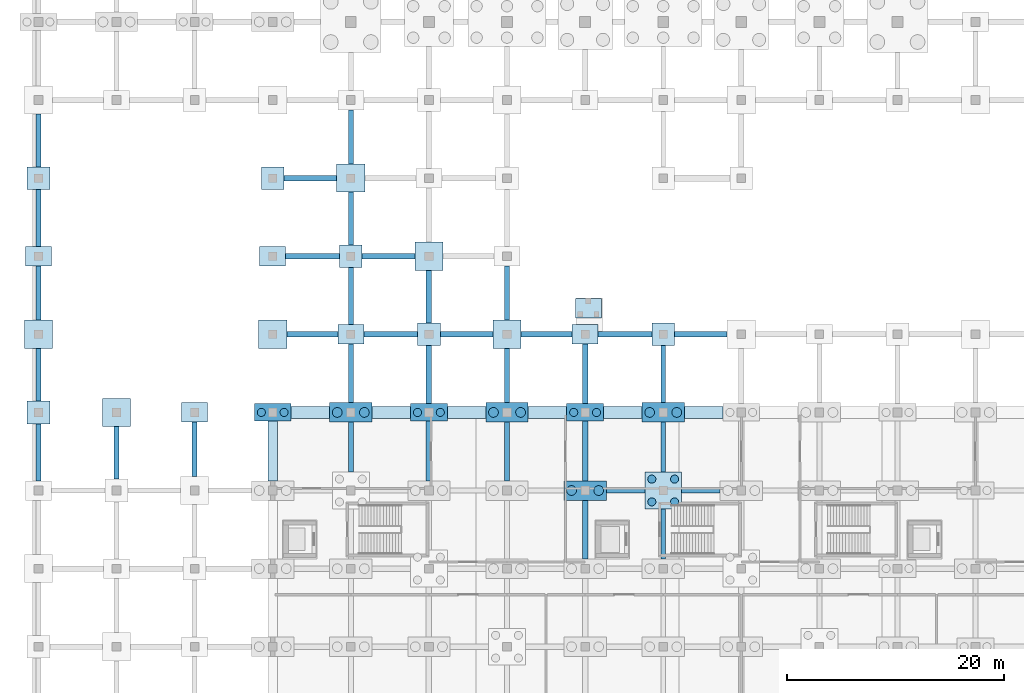
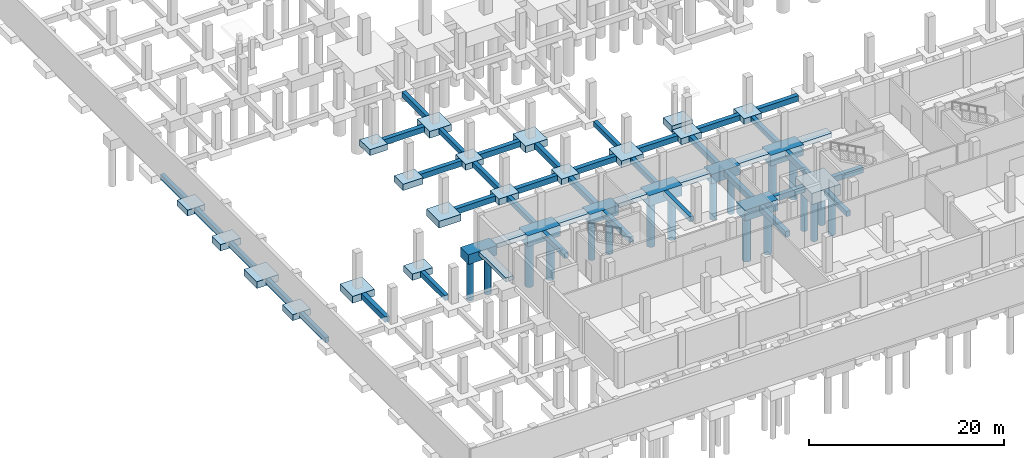
# One storey, part 3 of 22: 68 footings, 18 piles.
"""IFC4 building model written with IfcOpenShell, lengths in metres."""

import ifcopenshell
import ifcopenshell.guid

model = None  # the IFC model being written
_history = None  # IfcOwnerHistory: only IFC2X3 demands one
_inside = {}  # id of a spatial element -> (the spatial element, [elements in it])
_under = {}  # id of a project, library or spatial element -> (it, [spatial elements below it])
_declared = {}  # id of a project -> (the project, [libraries it declares])
_typed = {}  # id of a type object -> (the type object, [elements of that type])
_made_of = {}  # id of a material, layer set ... -> (it, [elements and type objects made of it])


def new_model(schema):
    """Start an empty IFC model of exactly this schema.

    Asked for "IFC4X3", IfcOpenShell would pick the latest addendum, in which some entities
    have other attributes; the version numbers below select the first issue.
    IFC2X3 requires an IfcOwnerHistory on every rooted entity: one is made here for all.
    """
    global model, _history
    if schema == "IFC4X3":
        model = ifcopenshell.file(schema_version=(4, 3, 0, 0))
    else:
        model = ifcopenshell.file(schema=schema)
    _inside.clear()
    _under.clear()
    _declared.clear()
    _typed.clear()
    _made_of.clear()
    _history = None
    if model.schema == "IFC2X3":
        org = make("IfcOrganization", Name="unknown")
        user = make(
            "IfcPersonAndOrganization",
            ThePerson=make("IfcPerson", FamilyName="unknown"),
            TheOrganization=org,
        )
        app = make(
            "IfcApplication",
            ApplicationDeveloper=org,
            Version="unknown",
            ApplicationFullName="unknown",
            ApplicationIdentifier="unknown",
        )
        _history = make(
            "IfcOwnerHistory",
            OwningUser=user,
            OwningApplication=app,
            ChangeAction="ADDED",
            CreationDate=0,
        )
    return model


def make(cls, **values):
    """One entity of the class cls with the attributes given. An attribute that is None is left unset."""
    return model.create_entity(
        cls, **{name: value for name, value in values.items() if value is not None}
    )


def rooted(cls, **values):
    """An entity with a GlobalId (a new one), such as an element, a storey or a relation."""
    return make(cls, GlobalId=ifcopenshell.guid.new(), OwnerHistory=_history, **values)


def si_unit(unit_type, name, prefix=None):
    """IfcSIUnit, for example si_unit("LENGTHUNIT", "METRE", prefix="MILLI")."""
    return make("IfcSIUnit", UnitType=unit_type, Prefix=prefix, Name=name)


def assignment(units):
    """IfcUnitAssignment: the units of a project."""
    return None if units is None else make("IfcUnitAssignment", Units=units)


def point(xyz):
    """IfcCartesianPoint."""
    return None if xyz is None else make("IfcCartesianPoint", Coordinates=xyz)


def direction(xyz):
    """IfcDirection."""
    return None if xyz is None else make("IfcDirection", DirectionRatios=xyz)


def frame(location, z_axis=None, x_axis=None):
    """IfcAxis2Placement3D, a coordinate frame: its origin and axes. An axis left out is left unset."""
    return make(
        "IfcAxis2Placement3D",
        Location=point(location),
        Axis=direction(z_axis),
        RefDirection=direction(x_axis),
    )


def frame_2d(location, x_axis=None):
    """IfcAxis2Placement2D, a coordinate frame in the plane: its origin and x axis."""
    return make(
        "IfcAxis2Placement2D", Location=point(location), RefDirection=direction(x_axis)
    )


def origin():
    """The frame at (0, 0, 0) with its axes left unset."""
    return frame((0.0, 0.0, 0.0))


def origin_2d():
    """The frame at (0, 0) in the plane with its x axis left unset."""
    return frame_2d((0.0, 0.0))


def place(relative_to, where):
    """IfcLocalPlacement: puts the frame where relative to a parent placement (None: the world)."""
    return make(
        "IfcLocalPlacement", PlacementRelTo=relative_to, RelativePlacement=where
    )


def context(
    kind, dimensions, precision=None, world=None, true_north=None, identifier=None
):
    """IfcGeometricRepresentationContext, for example the 3D "Model" context."""
    return make(
        "IfcGeometricRepresentationContext",
        ContextIdentifier=identifier,
        ContextType=kind,
        CoordinateSpaceDimension=dimensions,
        Precision=precision,
        WorldCoordinateSystem=world,
        TrueNorth=true_north,
    )


def subcontext(parent, identifier, kind, view, scale=None):
    """IfcGeometricRepresentationSubContext, for example "Body" below "Model"."""
    return make(
        "IfcGeometricRepresentationSubContext",
        ContextIdentifier=identifier,
        ContextType=kind,
        ParentContext=parent,
        TargetScale=scale,
        TargetView=view,
    )


def project(units=None, contexts=None):
    """IfcProject with its units and contexts."""
    return rooted(
        "IfcProject",
        Name="project",
        RepresentationContexts=contexts,
        UnitsInContext=assignment(units),
    )


def spatial(cls, under=None, at=None, **own):
    """A site, building, storey or space (cls), placed at a placement, below another one or the project."""
    s = rooted(cls, ObjectPlacement=at, **own)
    if under is not None:
        _under.setdefault(under.id(), (under, []))[1].append(s)
    return s


def polyline(points):
    """IfcPolyline through the points."""
    return make("IfcPolyline", Points=[point(p) for p in points])


def profile(cls, at=None, kind="AREA", **sizes):
    """A parametric profile (cls). Its sizes go by their IFC names, for example OverallWidth=200.0."""
    return make(cls, ProfileType=kind, Position=at, **sizes)


def rectangle(**sizes):
    """IfcRectangleProfileDef."""
    return profile("IfcRectangleProfileDef", **sizes)


def circle(**sizes):
    """IfcCircleProfileDef."""
    return profile("IfcCircleProfileDef", **sizes)


def outline(outer, holes=None, kind="AREA"):
    """IfcArbitraryClosedProfileDef: a profile drawn as a closed curve; with holes, ...WithVoids."""
    if holes is None:
        return make("IfcArbitraryClosedProfileDef", ProfileType=kind, OuterCurve=outer)
    return make(
        "IfcArbitraryProfileDefWithVoids",
        ProfileType=kind,
        OuterCurve=outer,
        InnerCurves=holes,
    )


def extrude(swept, where, along, depth):
    """IfcExtrudedAreaSolid: the profile swept, set in the frame where, extruded along a direction by depth."""
    return make(
        "IfcExtrudedAreaSolid",
        SweptArea=swept,
        Position=where,
        ExtrudedDirection=direction(along),
        Depth=depth,
    )


def shape(context_of_items, identifier, shape_type, items):
    """IfcShapeRepresentation: the items that make up one representation, for example the "Body"."""
    return make(
        "IfcShapeRepresentation",
        ContextOfItems=context_of_items,
        RepresentationIdentifier=identifier,
        RepresentationType=shape_type,
        Items=items,
    )


def material(Name=None, Category=None):
    """IfcMaterial."""
    return make("IfcMaterial", Name=Name, Category=Category)


def material_profile(
    of_material, cross_section, Name=None, Category=None, Priority=None
):
    """IfcMaterialProfile: a cross section and its material."""
    return make(
        "IfcMaterialProfile",
        Name=Name,
        Material=of_material,
        Profile=cross_section,
        Priority=Priority,
        Category=Category,
    )


def profile_set(profiles, Name=None, composite=None):
    """IfcMaterialProfileSet."""
    return make(
        "IfcMaterialProfileSet",
        Name=Name,
        MaterialProfiles=profiles,
        CompositeProfile=composite,
    )


def made_of(thing, what):
    """Note that an element or type object is made of a material, layer set ...; save() writes the relation."""
    if what is not None:
        _made_of.setdefault(what.id(), (what, []))[1].append(thing)
    return thing


def type_object(cls, material=None, **own):
    """A type object (cls), such as IfcWallType, which elements share."""
    return made_of(rooted(cls, **own), material)


def element(
    cls,
    number,
    at=None,
    inside=None,
    cuts=None,
    type_object=None,
    material=None,
    context=None,
    identifier="Body",
    shape_type=None,
    held_by="IfcProductDefinitionShape",
    body=None,
    shapes=None,
    **own,
):
    """One element of the class cls, such as IfcWall. Its Tag is "e" and its number.

    at: its placement. inside: the storey or other place that contains it. cuts: it is an
    opening in that element (IfcRelVoidsElement). A single representation is given by context,
    identifier, shape_type and body (its items); several are given by shapes. held_by: the class
    of the entity that holds the representations. save() writes the other relations.
    """
    e = rooted(cls, Tag="e%d" % number, ObjectPlacement=at, **own)
    if body is not None:
        shapes = [shape(context, identifier, shape_type, body)]
    if shapes is not None:
        e.Representation = make(held_by, Representations=shapes)
    if inside is not None:
        _inside.setdefault(inside.id(), (inside, []))[1].append(e)
    if cuts is not None:
        rooted(
            "IfcRelVoidsElement", RelatingBuildingElement=cuts, RelatedOpeningElement=e
        )
    if type_object is not None:
        _typed.setdefault(type_object.id(), (type_object, []))[1].append(e)
    return made_of(e, material)


def aggregate(whole, parts):
    """IfcRelAggregates: a whole, such as a stair, and the parts it consists of."""
    return rooted("IfcRelAggregates", RelatingObject=whole, RelatedObjects=parts)


def save(model, path):
    """Write the relations noted so far, then the file.

    IfcRelAggregates (storeys below a building ...), IfcRelContainedInSpatialStructure (elements
    in a storey), IfcRelDefinesByType, IfcRelAssociatesMaterial and IfcRelDeclares: one each for
    every whole, place, type object, material and project.
    """
    for whole, parts in _under.values():
        aggregate(whole, parts)
    for where, things in _inside.values():
        rooted(
            "IfcRelContainedInSpatialStructure",
            RelatedElements=things,
            RelatingStructure=where,
        )
    for kind, things in _typed.values():
        rooted("IfcRelDefinesByType", RelatedObjects=things, RelatingType=kind)
    for what, things in _made_of.values():
        rooted("IfcRelAssociatesMaterial", RelatedObjects=things, RelatingMaterial=what)
    for by, libraries in _declared.values():
        rooted("IfcRelDeclares", RelatingContext=by, RelatedDefinitions=libraries)
    model.write(path)


model = new_model("IFC4")

# Units and contexts
model_context = context("Model", 3, precision=1e-05, world=origin(), true_north=direction((0.0, 1.0)))
body_context = subcontext(model_context, "Body", "Model", "MODEL_VIEW")
ifc_project = project(units=[si_unit("LENGTHUNIT", "METRE"), si_unit("AREAUNIT", "SQUARE_METRE"), si_unit("VOLUMEUNIT", "CUBIC_METRE"), si_unit("PLANEANGLEUNIT", "RADIAN"), si_unit("MASSUNIT", "GRAM", prefix="KILO")], contexts=[model_context])

# Site, building, storey
site_placement = place(None, origin())
site = spatial("IfcSite", under=ifc_project, at=site_placement, CompositionType="ELEMENT")
building_placement = place(site_placement, origin())
building = spatial("IfcBuilding", under=site, at=building_placement, Name="Sardonyx Promenade Sports Hall", CompositionType="ELEMENT")
storey_placement = place(building_placement, frame((0.0, 0.0, -4.5)))
storey = spatial("IfcBuildingStorey", under=building, at=storey_placement, Name="B1", CompositionType="ELEMENT", Elevation=-4.5)

# Footings
ifc_material_1 = material(Name="Concrete C40/50", Category="concrete")
footing_type_1 = type_object("IfcFootingType", Name="Cap_2P_750", PredefinedType="PILE_CAP", material=ifc_material_1)
for number, where, z_axis, x_axis, name in (
    (1, (21.60009765625, 36.0, -1.2001953125), (0.0, 0.0, 1.0), (1.0, 0.0, 0.0), "Pile cap PC02 at (21.60, 36.00)"),
    (2, (36.0, 36.0, -1.2001953125), (0.0, 0.0, 1.0), (1.0, 0.0, 0.0), "Pile cap PC02 at (36.00, 36.00)"),
    (3, (50.39990234375, 36.0, -1.2001953125), (0.0, 0.0, 1.0), (1.0, 0.0, 0.0), "Pile cap PC02 at (50.40, 36.00)"),
):
    element("IfcFooting", number, at=place(storey_placement, frame(where, z_axis=z_axis, x_axis=x_axis)), inside=storey, type_object=footing_type_1, Name=name, PredefinedType="PILE_CAP", context=body_context, shape_type="SweptSolid", body=[
        extrude(rectangle(XDim=3.39990234375, YDim=1.60009765625, at=origin_2d()), origin(), (0.0, 0.0, 1.0), 1.199951171875),
    ])
ifc_material_2 = material(Name="Concrete C40/50", Category="concrete")
footing_type_2 = type_object("IfcFootingType", Name="Cap_2P_900", PredefinedType="PILE_CAP", material=ifc_material_2)
for number, where, z_axis, x_axis, name in (
    (4, (28.800048828125, 36.0, -1.35009765625), (0.0, 0.0, 1.0), (1.0, 0.0, 0.0), "Pile cap PC09 at (28.80, 36.00)"),
    (5, (43.199951171875, 36.0, -1.35009765625), (0.0, 0.0, 1.0), (1.0, 0.0, 0.0), "Pile cap PC09 at (43.20, 36.00)"),
    (6, (50.39990234375, 28.800048828125, -1.35009765625), (0.0, 0.0, 1.0), (1.0, 0.0, 0.0), "Pile cap PC09 at (50.40, 28.80)"),
    (7, (57.60009765625, 36.0, -1.35009765625), (0.0, 0.0, 1.0), (1.0, 0.0, 0.0), "Pile cap PC09 at (57.60, 36.00)"),
):
    element("IfcFooting", number, at=place(storey_placement, frame(where, z_axis=z_axis, x_axis=x_axis)), inside=storey, type_object=footing_type_2, Name=name, PredefinedType="PILE_CAP", context=body_context, shape_type="SweptSolid", body=[
        extrude(rectangle(XDim=3.89990234375, YDim=1.800048828125, at=origin_2d()), origin(), (0.0, 0.0, 1.0), 1.35009765625),
    ])
ifc_material_3 = material(Name="Concrete C40/50", Category="concrete")
footing_type_3 = type_object("IfcFootingType", Name="Cap_4P_750", PredefinedType="PILE_CAP", material=ifc_material_3)
footing_1_placement = place(storey_placement, frame((57.60009765625, 28.800048828125, -1.39990234375), z_axis=(0.0, 0.0, 1.0), x_axis=(1.0, 0.0, 0.0)))
element("IfcFooting", 8, at=footing_1_placement, inside=storey, type_object=footing_type_3, Name="Pile cap PC04 at (57.60, 28.80)", PredefinedType="PILE_CAP", context=body_context, shape_type="SweptSolid", body=[
    extrude(rectangle(XDim=3.39990234375, YDim=3.39990234375, at=origin_2d()), origin(), (0.0, 0.0, 1.0), 1.39990234375),
])
ifc_material_4 = material(Name="Concrete C40/50", Category="concrete")
footing_type_4 = type_object("IfcFootingType", Name="Ftg_Beam_450x650", PredefinedType="FOOTING_BEAM", material=ifc_material_4)
footing_2_placement = place(storey_placement, frame((0.0, 0.0, -0.64990234375)))
element("IfcFooting", 9, at=footing_2_placement, inside=storey, type_object=footing_type_4, Name="Ground tie beam GB03 #224", PredefinedType="FOOTING_BEAM", context=body_context, shape_type="SweptSolid", body=[
    extrude(outline(polyline([(-0.22509765625, 29.699951171875), (0.22509765625, 29.699951171875), (0.22509765625, 34.949951171875), (-0.22509765625, 34.949951171875), (-0.22509765625, 29.699951171875)])), origin(), (0.0, 0.0, 1.0), 0.64990234375),
])
footing_3_placement = place(storey_placement, frame((0.0, 0.0, -0.64990234375)))
element("IfcFooting", 10, at=footing_3_placement, inside=storey, type_object=footing_type_4, Name="Ground tie beam GB03 #225", PredefinedType="FOOTING_BEAM", context=body_context, shape_type="SweptSolid", body=[
    extrude(outline(polyline([(-0.22509765625, 37.050048828125), (0.22509765625, 37.050048828125), (0.22509765625, 41.89990234375), (-0.22509765625, 41.89990234375), (-0.22509765625, 37.050048828125)])), origin(), (0.0, 0.0, 1.0), 0.64990234375),
])
footing_4_placement = place(storey_placement, frame((0.0, 0.0, -0.64990234375)))
element("IfcFooting", 11, at=footing_4_placement, inside=storey, type_object=footing_type_4, Name="Ground tie beam GB03 #226", PredefinedType="FOOTING_BEAM", context=body_context, shape_type="SweptSolid", body=[
    extrude(outline(polyline([(-0.22509765625, 44.5), (0.22509765625, 44.5), (0.22509765625, 49.5), (-0.22509765625, 49.5), (-0.22509765625, 44.5)])), origin(), (0.0, 0.0, 1.0), 0.64990234375),
])
footing_5_placement = place(storey_placement, frame((0.0, 0.0, -0.64990234375)))
element("IfcFooting", 12, at=footing_5_placement, inside=storey, type_object=footing_type_4, Name="Ground tie beam GB03 #227", PredefinedType="FOOTING_BEAM", context=body_context, shape_type="SweptSolid", body=[
    extrude(outline(polyline([(-0.22509765625, 51.300048828125), (0.22509765625, 51.300048828125), (0.22509765625, 56.550048828125), (-0.22509765625, 56.550048828125), (-0.22509765625, 51.300048828125)])), origin(), (0.0, 0.0, 1.0), 0.64990234375),
])
footing_6_placement = place(storey_placement, frame((0.0, 0.0, -0.64990234375)))
element("IfcFooting", 13, at=footing_6_placement, inside=storey, type_object=footing_type_4, Name="Ground tie beam GB03 #228", PredefinedType="FOOTING_BEAM", context=body_context, shape_type="SweptSolid", body=[
    extrude(outline(polyline([(-0.22509765625, 58.64990234375), (0.22509765625, 58.64990234375), (0.22509765625, 63.5), (-0.22509765625, 63.5), (-0.22509765625, 58.64990234375)])), origin(), (0.0, 0.0, 1.0), 0.64990234375),
])
footing_7_placement = place(storey_placement, frame((0.0, 0.0, -0.64990234375)))
element("IfcFooting", 14, at=footing_7_placement, inside=storey, type_object=footing_type_4, Name="Ground tie beam GB03 #246", PredefinedType="FOOTING_BEAM", context=body_context, shape_type="SweptSolid", body=[
    extrude(outline(polyline([(14.175048828125, 30.10009765625), (14.625, 30.10009765625), (14.625, 35.10009765625), (14.175048828125, 35.10009765625), (14.175048828125, 30.10009765625)])), origin(), (0.0, 0.0, 1.0), 0.64990234375),
])
footing_8_placement = place(storey_placement, frame((0.0, 0.0, -0.64990234375)))
element("IfcFooting", 15, at=footing_8_placement, inside=storey, type_object=footing_type_4, Name="Ground tie beam GB03 #255", PredefinedType="FOOTING_BEAM", context=body_context, shape_type="SweptSolid", body=[
    extrude(outline(polyline([(28.574951171875, 30.5), (29.02490234375, 30.5), (29.02490234375, 35.10009765625), (28.574951171875, 35.10009765625), (28.574951171875, 30.5)])), origin(), (0.0, 0.0, 1.0), 0.64990234375),
])
footing_9_placement = place(storey_placement, frame((0.0, 0.0, -0.64990234375)))
element("IfcFooting", 16, at=footing_9_placement, inside=storey, type_object=footing_type_4, Name="Ground tie beam GB03 #256", PredefinedType="FOOTING_BEAM", context=body_context, shape_type="SweptSolid", body=[
    extrude(outline(polyline([(28.574951171875, 36.89990234375), (29.02490234375, 36.89990234375), (29.02490234375, 42.300048828125), (28.574951171875, 42.300048828125), (28.574951171875, 36.89990234375)])), origin(), (0.0, 0.0, 1.0), 0.64990234375),
])
footing_10_placement = place(storey_placement, frame((0.0, 0.0, -0.64990234375)))
element("IfcFooting", 17, at=footing_10_placement, inside=storey, type_object=footing_type_4, Name="Ground tie beam GB03 #257", PredefinedType="FOOTING_BEAM", context=body_context, shape_type="SweptSolid", body=[
    extrude(outline(polyline([(28.574951171875, 44.10009765625), (29.02490234375, 44.10009765625), (29.02490234375, 49.35009765625), (28.574951171875, 49.35009765625), (28.574951171875, 44.10009765625)])), origin(), (0.0, 0.0, 1.0), 0.64990234375),
])
footing_11_placement = place(storey_placement, frame((0.0, 0.0, -0.64990234375)))
element("IfcFooting", 18, at=footing_11_placement, inside=storey, type_object=footing_type_4, Name="Ground tie beam GB03 #258", PredefinedType="FOOTING_BEAM", context=body_context, shape_type="SweptSolid", body=[
    extrude(outline(polyline([(28.574951171875, 51.449951171875), (29.02490234375, 51.449951171875), (29.02490234375, 56.300048828125), (28.574951171875, 56.300048828125), (28.574951171875, 51.449951171875)])), origin(), (0.0, 0.0, 1.0), 0.64990234375),
])
footing_12_placement = place(storey_placement, frame((0.0, 0.0, -0.64990234375)))
element("IfcFooting", 19, at=footing_12_placement, inside=storey, type_object=footing_type_4, Name="Ground tie beam GB03 #259", PredefinedType="FOOTING_BEAM", context=body_context, shape_type="SweptSolid", body=[
    extrude(outline(polyline([(28.574951171875, 58.89990234375), (29.02490234375, 58.89990234375), (29.02490234375, 63.89990234375), (28.574951171875, 63.89990234375), (28.574951171875, 58.89990234375)])), origin(), (0.0, 0.0, 1.0), 0.64990234375),
])
footing_13_placement = place(storey_placement, frame((0.0, 0.0, -0.64990234375)))
element("IfcFooting", 20, at=footing_13_placement, inside=storey, type_object=footing_type_4, Name="Ground tie beam GB03 #279", PredefinedType="FOOTING_BEAM", context=body_context, shape_type="SweptSolid", body=[
    extrude(outline(polyline([(42.97509765625, 29.699951171875), (43.425048828125, 29.699951171875), (43.425048828125, 35.10009765625), (42.97509765625, 35.10009765625), (42.97509765625, 29.699951171875)])), origin(), (0.0, 0.0, 1.0), 0.64990234375),
])
footing_14_placement = place(storey_placement, frame((0.0, 0.0, -0.64990234375)))
element("IfcFooting", 21, at=footing_14_placement, inside=storey, type_object=footing_type_4, Name="Ground tie beam GB03 #280", PredefinedType="FOOTING_BEAM", context=body_context, shape_type="SweptSolid", body=[
    extrude(outline(polyline([(42.97509765625, 36.89990234375), (43.425048828125, 36.89990234375), (43.425048828125, 41.89990234375), (42.97509765625, 41.89990234375), (42.97509765625, 36.89990234375)])), origin(), (0.0, 0.0, 1.0), 0.64990234375),
])
footing_15_placement = place(storey_placement, frame((0.0, 0.0, -0.64990234375)))
element("IfcFooting", 22, at=footing_15_placement, inside=storey, type_object=footing_type_4, Name="Ground tie beam GB03 #281", PredefinedType="FOOTING_BEAM", context=body_context, shape_type="SweptSolid", body=[
    extrude(outline(polyline([(42.97509765625, 44.5), (43.425048828125, 44.5), (43.425048828125, 49.5), (42.97509765625, 49.5), (42.97509765625, 44.5)])), origin(), (0.0, 0.0, 1.0), 0.64990234375),
])
footing_16_placement = place(storey_placement, frame((0.0, 0.0, -0.64990234375)))
element("IfcFooting", 23, at=footing_16_placement, inside=storey, type_object=footing_type_4, Name="Ground tie beam GB03 #297", PredefinedType="FOOTING_BEAM", context=body_context, shape_type="SweptSolid", body=[
    extrude(outline(polyline([(57.375, 22.5), (57.824951171875, 22.5), (57.824951171875, 27.10009765625), (57.375, 27.10009765625), (57.375, 22.5)])), origin(), (0.0, 0.0, 1.0), 0.64990234375),
])
footing_17_placement = place(storey_placement, frame((0.0, 0.0, -0.64990234375)))
element("IfcFooting", 24, at=footing_17_placement, inside=storey, type_object=footing_type_4, Name="Ground tie beam GB03 #298", PredefinedType="FOOTING_BEAM", context=body_context, shape_type="SweptSolid", body=[
    extrude(outline(polyline([(57.375, 30.5), (57.824951171875, 30.5), (57.824951171875, 35.10009765625), (57.375, 35.10009765625), (57.375, 30.5)])), origin(), (0.0, 0.0, 1.0), 0.64990234375),
])
footing_18_placement = place(storey_placement, frame((0.0, 0.0, -0.64990234375)))
element("IfcFooting", 25, at=footing_18_placement, inside=storey, type_object=footing_type_4, Name="Ground tie beam GB03 #299", PredefinedType="FOOTING_BEAM", context=body_context, shape_type="SweptSolid", body=[
    extrude(outline(polyline([(57.375, 36.89990234375), (57.824951171875, 36.89990234375), (57.824951171875, 42.14990234375), (57.375, 42.14990234375), (57.375, 36.89990234375)])), origin(), (0.0, 0.0, 1.0), 0.64990234375),
])
ifc_material_5 = material(Name="Concrete C40/50", Category="concrete")
footing_type_5 = type_object("IfcFootingType", Name="Ftg_Beam_500x700", PredefinedType="FOOTING_BEAM", material=ifc_material_5)
footing_19_placement = place(storey_placement, frame((0.0, 0.0, -0.699951171875)))
element("IfcFooting", 26, at=footing_19_placement, inside=storey, type_object=footing_type_5, Name="Ground tie beam GB01 #77", PredefinedType="FOOTING_BEAM", context=body_context, shape_type="SweptSolid", body=[
    extrude(outline(polyline([(52.35009765625, 28.550048828125), (55.89990234375, 28.550048828125), (55.89990234375, 29.050048828125), (52.35009765625, 29.050048828125), (52.35009765625, 28.550048828125)])), origin(), (0.0, 0.0, 1.0), 0.699951171875),
])
footing_20_placement = place(storey_placement, frame((0.0, 0.0, -0.699951171875)))
element("IfcFooting", 27, at=footing_20_placement, inside=storey, type_object=footing_type_5, Name="Ground tie beam GB01 #78", PredefinedType="FOOTING_BEAM", context=body_context, shape_type="SweptSolid", body=[
    extrude(outline(polyline([(59.300048828125, 28.550048828125), (62.85009765625, 28.550048828125), (62.85009765625, 29.050048828125), (59.300048828125, 29.050048828125), (59.300048828125, 28.550048828125)])), origin(), (0.0, 0.0, 1.0), 0.699951171875),
])
footing_21_placement = place(storey_placement, frame((0.0, 0.0, -0.699951171875)))
element("IfcFooting", 28, at=footing_21_placement, inside=storey, type_object=footing_type_5, Name="Ground tie beam GB01 #93", PredefinedType="FOOTING_BEAM", context=body_context, shape_type="SweptSolid", body=[
    extrude(outline(polyline([(22.89990234375, 42.949951171875), (27.60009765625, 42.949951171875), (27.60009765625, 43.449951171875), (22.89990234375, 43.449951171875), (22.89990234375, 42.949951171875)])), origin(), (0.0, 0.0, 1.0), 0.699951171875),
])
footing_22_placement = place(storey_placement, frame((0.0, 0.0, -0.699951171875)))
element("IfcFooting", 29, at=footing_22_placement, inside=storey, type_object=footing_type_5, Name="Ground tie beam GB01 #94", PredefinedType="FOOTING_BEAM", context=body_context, shape_type="SweptSolid", body=[
    extrude(outline(polyline([(30.0, 42.949951171875), (34.949951171875, 42.949951171875), (34.949951171875, 43.449951171875), (30.0, 43.449951171875), (30.0, 42.949951171875)])), origin(), (0.0, 0.0, 1.0), 0.699951171875),
])
footing_23_placement = place(storey_placement, frame((0.0, 0.0, -0.699951171875)))
element("IfcFooting", 30, at=footing_23_placement, inside=storey, type_object=footing_type_5, Name="Ground tie beam GB01 #95", PredefinedType="FOOTING_BEAM", context=body_context, shape_type="SweptSolid", body=[
    extrude(outline(polyline([(37.050048828125, 42.949951171875), (41.89990234375, 42.949951171875), (41.89990234375, 43.449951171875), (37.050048828125, 43.449951171875), (37.050048828125, 42.949951171875)])), origin(), (0.0, 0.0, 1.0), 0.699951171875),
])
footing_24_placement = place(storey_placement, frame((0.0, 0.0, -0.699951171875)))
element("IfcFooting", 31, at=footing_24_placement, inside=storey, type_object=footing_type_5, Name="Ground tie beam GB01 #96", PredefinedType="FOOTING_BEAM", context=body_context, shape_type="SweptSolid", body=[
    extrude(outline(polyline([(44.5, 42.949951171875), (49.199951171875, 42.949951171875), (49.199951171875, 43.449951171875), (44.5, 43.449951171875), (44.5, 42.949951171875)])), origin(), (0.0, 0.0, 1.0), 0.699951171875),
])
footing_25_placement = place(storey_placement, frame((0.0, 0.0, -0.699951171875)))
element("IfcFooting", 32, at=footing_25_placement, inside=storey, type_object=footing_type_5, Name="Ground tie beam GB01 #97", PredefinedType="FOOTING_BEAM", context=body_context, shape_type="SweptSolid", body=[
    extrude(outline(polyline([(51.60009765625, 42.949951171875), (56.550048828125, 42.949951171875), (56.550048828125, 43.449951171875), (51.60009765625, 43.449951171875), (51.60009765625, 42.949951171875)])), origin(), (0.0, 0.0, 1.0), 0.699951171875),
])
footing_26_placement = place(storey_placement, frame((0.0, 0.0, -0.699951171875)))
element("IfcFooting", 33, at=footing_26_placement, inside=storey, type_object=footing_type_5, Name="Ground tie beam GB01 #98", PredefinedType="FOOTING_BEAM", context=body_context, shape_type="SweptSolid", body=[
    extrude(outline(polyline([(58.64990234375, 42.949951171875), (63.5, 42.949951171875), (63.5, 43.449951171875), (58.64990234375, 43.449951171875), (58.64990234375, 42.949951171875)])), origin(), (0.0, 0.0, 1.0), 0.699951171875),
])
footing_27_placement = place(storey_placement, frame((0.0, 0.0, -0.699951171875)))
element("IfcFooting", 34, at=footing_27_placement, inside=storey, type_object=footing_type_5, Name="Ground tie beam GB01 #113", PredefinedType="FOOTING_BEAM", context=body_context, shape_type="SweptSolid", body=[
    extrude(outline(polyline([(22.800048828125, 50.14990234375), (27.75, 50.14990234375), (27.75, 50.64990234375), (22.800048828125, 50.64990234375), (22.800048828125, 50.14990234375)])), origin(), (0.0, 0.0, 1.0), 0.699951171875),
])
footing_28_placement = place(storey_placement, frame((0.0, 0.0, -0.699951171875)))
element("IfcFooting", 35, at=footing_28_placement, inside=storey, type_object=footing_type_5, Name="Ground tie beam GB01 #114", PredefinedType="FOOTING_BEAM", context=body_context, shape_type="SweptSolid", body=[
    extrude(outline(polyline([(29.85009765625, 50.14990234375), (34.699951171875, 50.14990234375), (34.699951171875, 50.64990234375), (29.85009765625, 50.64990234375), (29.85009765625, 50.14990234375)])), origin(), (0.0, 0.0, 1.0), 0.699951171875),
])
footing_29_placement = place(storey_placement, frame((0.0, 0.0, -0.699951171875)))
element("IfcFooting", 36, at=footing_29_placement, inside=storey, type_object=footing_type_5, Name="Ground tie beam GB01 #126", PredefinedType="FOOTING_BEAM", context=body_context, shape_type="SweptSolid", body=[
    extrude(outline(polyline([(22.64990234375, 57.35009765625), (27.5, 57.35009765625), (27.5, 57.85009765625), (22.64990234375, 57.85009765625), (22.64990234375, 57.35009765625)])), origin(), (0.0, 0.0, 1.0), 0.699951171875),
])
footing_30_placement = place(storey_placement, frame((0.0, 0.0, -0.699951171875)))
element("IfcFooting", 37, at=footing_30_placement, inside=storey, type_object=footing_type_5, Name="Ground tie beam GB01 #237", PredefinedType="FOOTING_BEAM", context=body_context, shape_type="SweptSolid", body=[
    extrude(outline(polyline([(6.949951171875, 29.85009765625), (7.449951171875, 29.85009765625), (7.449951171875, 34.699951171875), (6.949951171875, 34.699951171875), (6.949951171875, 29.85009765625)])), origin(), (0.0, 0.0, 1.0), 0.699951171875),
])
footing_31_placement = place(storey_placement, frame((0.0, 0.0, -0.699951171875)))
element("IfcFooting", 38, at=footing_31_placement, inside=storey, type_object=footing_type_5, Name="Ground tie beam GB01 #269", PredefinedType="FOOTING_BEAM", context=body_context, shape_type="SweptSolid", body=[
    extrude(outline(polyline([(35.75, 29.699951171875), (36.25, 29.699951171875), (36.25, 35.199951171875), (35.75, 35.199951171875), (35.75, 29.699951171875)])), origin(), (0.0, 0.0, 1.0), 0.699951171875),
])
footing_32_placement = place(storey_placement, frame((0.0, 0.0, -0.699951171875)))
element("IfcFooting", 39, at=footing_32_placement, inside=storey, type_object=footing_type_5, Name="Ground tie beam GB01 #270", PredefinedType="FOOTING_BEAM", context=body_context, shape_type="SweptSolid", body=[
    extrude(outline(polyline([(35.75, 36.800048828125), (36.25, 36.800048828125), (36.25, 42.14990234375), (35.75, 42.14990234375), (35.75, 36.800048828125)])), origin(), (0.0, 0.0, 1.0), 0.699951171875),
])
footing_33_placement = place(storey_placement, frame((0.0, 0.0, -0.699951171875)))
element("IfcFooting", 40, at=footing_33_placement, inside=storey, type_object=footing_type_5, Name="Ground tie beam GB01 #271", PredefinedType="FOOTING_BEAM", context=body_context, shape_type="SweptSolid", body=[
    extrude(outline(polyline([(35.75, 44.25), (36.25, 44.25), (36.25, 49.10009765625), (35.75, 49.10009765625), (35.75, 44.25)])), origin(), (0.0, 0.0, 1.0), 0.699951171875),
])
footing_34_placement = place(storey_placement, frame((0.0, 0.0, -0.699951171875)))
element("IfcFooting", 41, at=footing_34_placement, inside=storey, type_object=footing_type_5, Name="Ground tie beam GB01 #290", PredefinedType="FOOTING_BEAM", context=body_context, shape_type="SweptSolid", body=[
    extrude(outline(polyline([(50.14990234375, 22.5), (50.64990234375, 22.5), (50.64990234375, 27.89990234375), (50.14990234375, 27.89990234375), (50.14990234375, 22.5)])), origin(), (0.0, 0.0, 1.0), 0.699951171875),
])
footing_35_placement = place(storey_placement, frame((0.0, 0.0, -0.699951171875)))
element("IfcFooting", 42, at=footing_35_placement, inside=storey, type_object=footing_type_5, Name="Ground tie beam GB01 #291", PredefinedType="FOOTING_BEAM", context=body_context, shape_type="SweptSolid", body=[
    extrude(outline(polyline([(50.14990234375, 29.699951171875), (50.64990234375, 29.699951171875), (50.64990234375, 35.199951171875), (50.14990234375, 35.199951171875), (50.14990234375, 29.699951171875)])), origin(), (0.0, 0.0, 1.0), 0.699951171875),
])
footing_36_placement = place(storey_placement, frame((0.0, 0.0, -0.699951171875)))
element("IfcFooting", 43, at=footing_36_placement, inside=storey, type_object=footing_type_5, Name="Ground tie beam GB01 #292", PredefinedType="FOOTING_BEAM", context=body_context, shape_type="SweptSolid", body=[
    extrude(outline(polyline([(50.14990234375, 36.800048828125), (50.64990234375, 36.800048828125), (50.64990234375, 42.300048828125), (50.14990234375, 42.300048828125), (50.14990234375, 36.800048828125)])), origin(), (0.0, 0.0, 1.0), 0.699951171875),
])
ifc_material_6 = material(Name="Concrete C40/50", Category="concrete")
footing_type_6 = type_object("IfcFootingType", Name="Ftg_Pad_2100", PredefinedType="PAD_FOOTING", material=ifc_material_6)
for number, where, z_axis, x_axis, name in (
    (44, (0.0, 36.0, -0.75), (0.0, 0.0, 1.0), (1.0, 0.0, 0.0), "Rock-bearing pad footing PF02 at (0.00, 36.00)"),
    (45, (0.0, 57.60009765625, -0.75), (0.0, 0.0, 1.0), (1.0, 0.0, 0.0), "Rock-bearing pad footing PF02 at (0.00, 57.60)"),
    (46, (21.60009765625, 57.60009765625, -0.75), (0.0, 0.0, 1.0), (1.0, 0.0, 0.0), "Rock-bearing pad footing PF02 at (21.60, 57.60)"),
    (47, (28.800048828125, 50.39990234375, -0.75), (0.0, 0.0, 1.0), (1.0, 0.0, 0.0), "Rock-bearing pad footing PF02 at (28.80, 50.40)"),
    (48, (36.0, 43.199951171875, -0.75), (0.0, 0.0, 1.0), (1.0, 0.0, 0.0), "Rock-bearing pad footing PF02 at (36.00, 43.20)"),
    (49, (57.60009765625, 43.199951171875, -0.75), (0.0, 0.0, 1.0), (1.0, 0.0, 0.0), "Rock-bearing pad footing PF02 at (57.60, 43.20)"),
):
    element("IfcFooting", number, at=place(storey_placement, frame(where, z_axis=z_axis, x_axis=x_axis)), inside=storey, type_object=footing_type_6, Name=name, PredefinedType="PAD_FOOTING", context=body_context, shape_type="SweptSolid", body=[
        extrude(rectangle(XDim=2.10009765625, YDim=2.10009765625, at=origin_2d()), origin(), (0.0, 0.0, 1.0), 0.75),
    ])
ifc_material_7 = material(Name="Concrete C40/50", Category="concrete")
footing_type_7 = type_object("IfcFootingType", Name="Ftg_Pad_2400x1800", PredefinedType="PAD_FOOTING", material=ifc_material_7)
for number, where, z_axis, x_axis, name in (
    (50, (0.0, 50.39990234375, -0.7998046875), (0.0, 0.0, 1.0), (1.0, 0.0, 0.0), "Rock-bearing pad footing PF03 at (0.00, 50.40)"),
    (51, (14.39990234375, 36.0, -0.7998046875), (0.0, 0.0, 1.0), (1.0, 0.0, 0.0), "Rock-bearing pad footing PF03 at (14.40, 36.00)"),
    (52, (21.60009765625, 50.39990234375, -0.7998046875), (0.0, 0.0, 1.0), (1.0, 0.0, 0.0), "Rock-bearing pad footing PF03 at (21.60, 50.40)"),
    (53, (28.800048828125, 43.199951171875, -0.7998046875), (0.0, 0.0, 1.0), (1.0, 0.0, 0.0), "Rock-bearing pad footing PF03 at (28.80, 43.20)"),
    (54, (50.39990234375, 43.199951171875, -0.7998046875), (0.0, 0.0, 1.0), (1.0, 0.0, 0.0), "Rock-bearing pad footing PF03 at (50.40, 43.20)"),
    (55, (50.699951171875, 45.60009765625, -0.7998046875), (0.0, 0.0, 1.0), (1.0, 0.0, 0.0), "Ramp landing pad footing #6"),
):
    element("IfcFooting", number, at=place(storey_placement, frame(where, z_axis=z_axis, x_axis=x_axis)), inside=storey, type_object=footing_type_7, Name=name, PredefinedType="PAD_FOOTING", context=body_context, shape_type="SweptSolid", body=[
        extrude(rectangle(XDim=2.39990234375, YDim=1.800048828125, at=origin_2d()), origin(), (0.0, 0.0, 1.0), 0.800048828125),
    ])
ifc_material_8 = material(Name="Concrete C40/50", Category="concrete")
footing_type_8 = type_object("IfcFootingType", Name="Ftg_Pad_2600", PredefinedType="PAD_FOOTING", material=ifc_material_8)
for number, where, z_axis, x_axis, name in (
    (56, (0.0, 43.199951171875, -0.85009765625), (0.0, 0.0, 1.0), (1.0, 0.0, 0.0), "Rock-bearing pad footing PF04 at (0.00, 43.20)"),
    (57, (7.199951171875, 36.0, -0.85009765625), (0.0, 0.0, 1.0), (1.0, 0.0, 0.0), "Rock-bearing pad footing PF04 at (7.20, 36.00)"),
    (58, (21.60009765625, 43.199951171875, -0.85009765625), (0.0, 0.0, 1.0), (1.0, 0.0, 0.0), "Rock-bearing pad footing PF04 at (21.60, 43.20)"),
    (59, (28.800048828125, 57.60009765625, -0.85009765625), (0.0, 0.0, 1.0), (1.0, 0.0, 0.0), "Rock-bearing pad footing PF04 at (28.80, 57.60)"),
    (60, (36.0, 50.39990234375, -0.85009765625), (0.0, 0.0, 1.0), (1.0, 0.0, 0.0), "Rock-bearing pad footing PF04 at (36.00, 50.40)"),
    (61, (43.199951171875, 43.199951171875, -0.85009765625), (0.0, 0.0, 1.0), (1.0, 0.0, 0.0), "Rock-bearing pad footing PF04 at (43.20, 43.20)"),
):
    element("IfcFooting", number, at=place(storey_placement, frame(where, z_axis=z_axis, x_axis=x_axis)), inside=storey, type_object=footing_type_8, Name=name, PredefinedType="PAD_FOOTING", context=body_context, shape_type="SweptSolid", body=[
        extrude(rectangle(XDim=2.60009765625, YDim=2.60009765625, at=origin_2d()), origin(), (0.0, 0.0, 1.0), 0.85009765625),
    ])
ifc_material_9 = material(Name="Concrete C40/50", Category="concrete")
footing_type_9 = type_object("IfcFootingType", Name="Ftg_Strip_1100x550", PredefinedType="STRIP_FOOTING", material=ifc_material_9)
footing_37_placement = place(storey_placement, frame((0.0, 0.0, -0.550048828125)))
element("IfcFooting", 62, at=footing_37_placement, inside=storey, type_object=footing_type_9, Name="Basement wall strip footing SF02 #14", PredefinedType="STRIP_FOOTING", context=body_context, shape_type="SweptSolid", body=[
    extrude(outline(polyline([(23.300048828125, 35.449951171875), (26.85009765625, 35.449951171875), (26.85009765625, 36.550048828125), (23.300048828125, 36.550048828125), (23.300048828125, 35.449951171875)])), origin(), (0.0, 0.0, 1.0), 0.550048828125),
])
footing_38_placement = place(storey_placement, frame((0.0, 0.0, -0.550048828125)))
element("IfcFooting", 63, at=footing_38_placement, inside=storey, type_object=footing_type_9, Name="Basement wall strip footing SF02 #15", PredefinedType="STRIP_FOOTING", context=body_context, shape_type="SweptSolid", body=[
    extrude(outline(polyline([(30.75, 35.449951171875), (34.300048828125, 35.449951171875), (34.300048828125, 36.550048828125), (30.75, 36.550048828125), (30.75, 35.449951171875)])), origin(), (0.0, 0.0, 1.0), 0.550048828125),
])
footing_39_placement = place(storey_placement, frame((0.0, 0.0, -0.550048828125)))
element("IfcFooting", 64, at=footing_39_placement, inside=storey, type_object=footing_type_9, Name="Basement wall strip footing SF02 #16", PredefinedType="STRIP_FOOTING", context=body_context, shape_type="SweptSolid", body=[
    extrude(outline(polyline([(37.699951171875, 35.449951171875), (41.25, 35.449951171875), (41.25, 36.550048828125), (37.699951171875, 36.550048828125), (37.699951171875, 35.449951171875)])), origin(), (0.0, 0.0, 1.0), 0.550048828125),
])
footing_40_placement = place(storey_placement, frame((0.0, 0.0, -0.550048828125)))
element("IfcFooting", 65, at=footing_40_placement, inside=storey, type_object=footing_type_9, Name="Basement wall strip footing SF02 #17", PredefinedType="STRIP_FOOTING", context=body_context, shape_type="SweptSolid", body=[
    extrude(outline(polyline([(45.14990234375, 35.449951171875), (48.699951171875, 35.449951171875), (48.699951171875, 36.550048828125), (45.14990234375, 36.550048828125), (45.14990234375, 35.449951171875)])), origin(), (0.0, 0.0, 1.0), 0.550048828125),
])
footing_41_placement = place(storey_placement, frame((0.0, 0.0, -0.550048828125)))
element("IfcFooting", 66, at=footing_41_placement, inside=storey, type_object=footing_type_9, Name="Basement wall strip footing SF02 #18", PredefinedType="STRIP_FOOTING", context=body_context, shape_type="SweptSolid", body=[
    extrude(outline(polyline([(52.10009765625, 35.449951171875), (55.64990234375, 35.449951171875), (55.64990234375, 36.550048828125), (52.10009765625, 36.550048828125), (52.10009765625, 35.449951171875)])), origin(), (0.0, 0.0, 1.0), 0.550048828125),
])
footing_42_placement = place(storey_placement, frame((0.0, 0.0, -0.550048828125)))
element("IfcFooting", 67, at=footing_42_placement, inside=storey, type_object=footing_type_9, Name="Basement wall strip footing SF02 #19", PredefinedType="STRIP_FOOTING", context=body_context, shape_type="SweptSolid", body=[
    extrude(outline(polyline([(59.550048828125, 35.449951171875), (63.10009765625, 35.449951171875), (63.10009765625, 36.550048828125), (59.550048828125, 36.550048828125), (59.550048828125, 35.449951171875)])), origin(), (0.0, 0.0, 1.0), 0.550048828125),
])
ifc_material_10 = material(Name="Concrete C40/50", Category="concrete")
footing_type_10 = type_object("IfcFootingType", Name="Ftg_Strip_900x500", PredefinedType="STRIP_FOOTING", material=ifc_material_10)
footing_43_placement = place(storey_placement, frame((0.0, 0.0, -0.5)))
element("IfcFooting", 68, at=footing_43_placement, inside=storey, type_object=footing_type_10, Name="Basement wall strip footing SF01 #30", PredefinedType="STRIP_FOOTING", context=body_context, shape_type="SweptSolid", body=[
    extrude(outline(polyline([(21.14990234375, 29.699951171875), (22.050048828125, 29.699951171875), (22.050048828125, 35.199951171875), (21.14990234375, 35.199951171875), (21.14990234375, 29.699951171875)])), origin(), (0.0, 0.0, 1.0), 0.5),
])

# Piles
ifc_material_11 = material(Name="Concrete C40/50", Category="concrete")
ifc_material_profile_1 = material_profile(ifc_material_11, circle(Radius=0.375, at=origin_2d()))
ifc_profile_set_1 = profile_set([ifc_material_profile_1], Name="Concrete C40/50")
pile_type_1 = type_object("IfcPileType", Name="Pile_BP750", PredefinedType="BORED", material=ifc_profile_set_1)
for number, where, z_axis, x_axis, name in (
    (69, (20.550048828125, 36.0, -1.10009765625), (0.0, 0.0, -1.0), (1.0, 0.0, 0.0), "Bored pile BP02 #1 under ftg:cap:21.600_36.000"),
    (70, (22.64990234375, 36.0, -1.10009765625), (0.0, 0.0, -1.0), (1.0, 0.0, 0.0), "Bored pile BP02 #2 under ftg:cap:21.600_36.000"),
    (71, (34.949951171875, 36.0, -1.10009765625), (0.0, 0.0, -1.0), (1.0, 0.0, 0.0), "Bored pile BP02 #1 under ftg:cap:36.000_36.000"),
    (72, (37.050048828125, 36.0, -1.10009765625), (0.0, 0.0, -1.0), (1.0, 0.0, 0.0), "Bored pile BP02 #2 under ftg:cap:36.000_36.000"),
    (73, (49.35009765625, 36.0, -1.10009765625), (0.0, 0.0, -1.0), (1.0, 0.0, 0.0), "Bored pile BP02 #1 under ftg:cap:50.400_36.000"),
    (74, (51.449951171875, 36.0, -1.10009765625), (0.0, 0.0, -1.0), (1.0, 0.0, 0.0), "Bored pile BP02 #2 under ftg:cap:50.400_36.000"),
    (75, (56.550048828125, 27.75, -1.300048828125), (0.0, 0.0, -1.0), (1.0, 0.0, 0.0), "Bored pile BP02 #1 under ftg:cap:57.600_28.800"),
    (76, (58.64990234375, 27.75, -1.300048828125), (0.0, 0.0, -1.0), (1.0, 0.0, 0.0), "Bored pile BP02 #2 under ftg:cap:57.600_28.800"),
    (77, (56.550048828125, 29.85009765625, -1.300048828125), (0.0, 0.0, -1.0), (1.0, 0.0, 0.0), "Bored pile BP02 #3 under ftg:cap:57.600_28.800"),
    (78, (58.64990234375, 29.85009765625, -1.300048828125), (0.0, 0.0, -1.0), (1.0, 0.0, 0.0), "Bored pile BP02 #4 under ftg:cap:57.600_28.800"),
):
    element("IfcPile", number, at=place(storey_placement, frame(where, z_axis=z_axis, x_axis=x_axis)), inside=storey, type_object=pile_type_1, Name=name, PredefinedType="BORED", context=body_context, shape_type="SweptSolid", body=[
        extrude(circle(Radius=0.375, at=origin_2d()), origin(), (0.0, 0.0, 1.0), 5.10009765625),
    ])
ifc_material_12 = material(Name="Concrete C40/50", Category="concrete")
ifc_material_profile_2 = material_profile(ifc_material_12, circle(Radius=0.449951171875, at=origin_2d()))
ifc_profile_set_2 = profile_set([ifc_material_profile_2], Name="Concrete C40/50")
pile_type_2 = type_object("IfcPileType", Name="Pile_BP900", PredefinedType="BORED", material=ifc_profile_set_2)
for number, where, z_axis, x_axis, name in (
    (79, (27.550048828125, 36.0, -1.25), (0.0, 0.0, -1.0), (1.0, 0.0, 0.0), "Bored pile BP05 #1 under ftg:cap:28.800_36.000"),
    (80, (30.050048828125, 36.0, -1.25), (0.0, 0.0, -1.0), (1.0, 0.0, 0.0), "Bored pile BP05 #2 under ftg:cap:28.800_36.000"),
    (81, (41.949951171875, 36.0, -1.25), (0.0, 0.0, -1.0), (1.0, 0.0, 0.0), "Bored pile BP05 #1 under ftg:cap:43.200_36.000"),
    (82, (44.449951171875, 36.0, -1.25), (0.0, 0.0, -1.0), (1.0, 0.0, 0.0), "Bored pile BP05 #2 under ftg:cap:43.200_36.000"),
    (83, (49.14990234375, 28.800048828125, -1.25), (0.0, 0.0, -1.0), (1.0, 0.0, 0.0), "Bored pile BP05 #1 under ftg:cap:50.400_28.800"),
    (84, (51.64990234375, 28.800048828125, -1.25), (0.0, 0.0, -1.0), (1.0, 0.0, 0.0), "Bored pile BP05 #2 under ftg:cap:50.400_28.800"),
    (85, (56.35009765625, 36.0, -1.25), (0.0, 0.0, -1.0), (1.0, 0.0, 0.0), "Bored pile BP05 #1 under ftg:cap:57.600_36.000"),
    (86, (58.85009765625, 36.0, -1.25), (0.0, 0.0, -1.0), (1.0, 0.0, 0.0), "Bored pile BP05 #2 under ftg:cap:57.600_36.000"),
):
    element("IfcPile", number, at=place(storey_placement, frame(where, z_axis=z_axis, x_axis=x_axis)), inside=storey, type_object=pile_type_2, Name=name, PredefinedType="BORED", context=body_context, shape_type="SweptSolid", body=[
        extrude(circle(Radius=0.449951171875, at=origin_2d()), origin(), (0.0, 0.0, 1.0), 5.699951171875),
    ])

save(model, "model.ifc")
